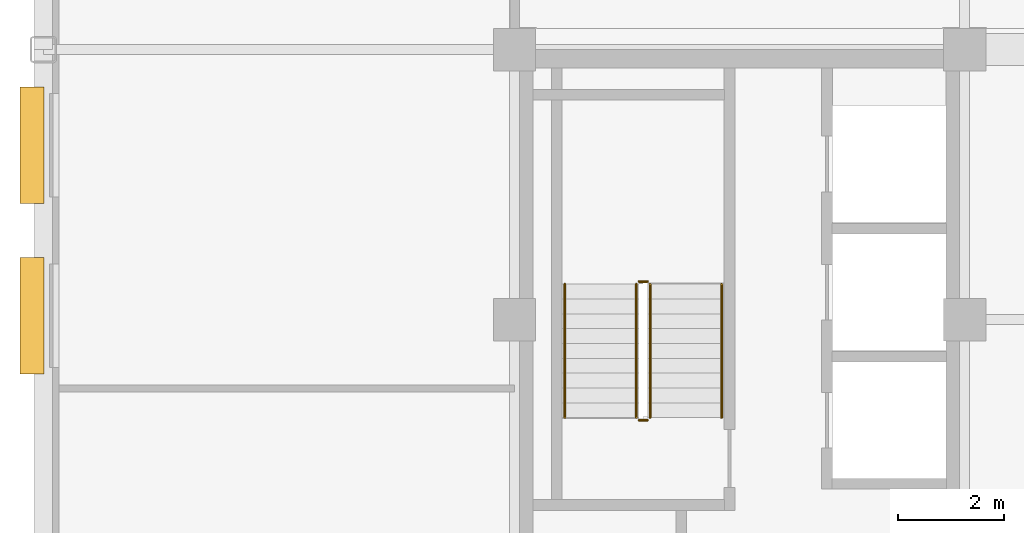
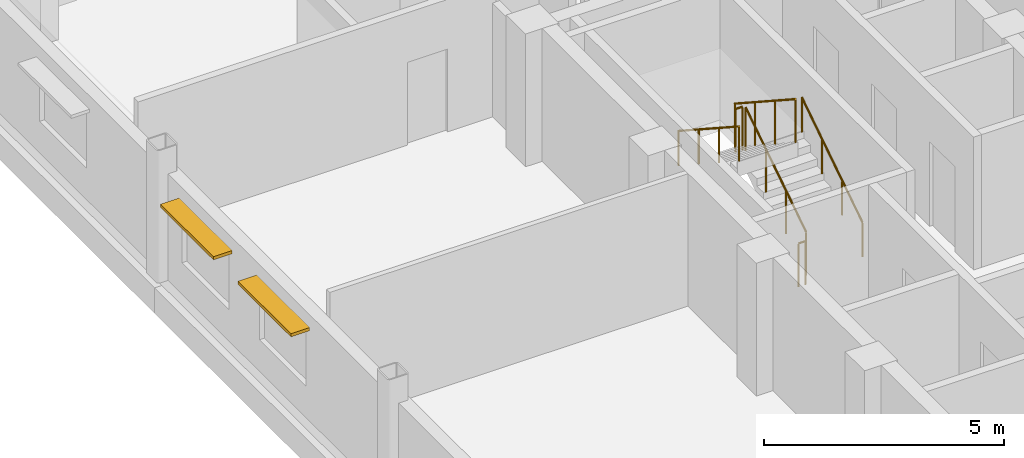
# One storey, part 11 of 14: 6 railings, 2 shading devices.
"""IFC4 building model written with IfcOpenShell, lengths in metres."""

import ifcopenshell
import ifcopenshell.guid

model = None  # the IFC model being written
_history = None  # IfcOwnerHistory: only IFC2X3 demands one
_inside = {}  # id of a spatial element -> (the spatial element, [elements in it])
_under = {}  # id of a project, library or spatial element -> (it, [spatial elements below it])
_declared = {}  # id of a project -> (the project, [libraries it declares])
_typed = {}  # id of a type object -> (the type object, [elements of that type])
_made_of = {}  # id of a material, layer set ... -> (it, [elements and type objects made of it])


def new_model(schema):
    """Start an empty IFC model of exactly this schema.

    Asked for "IFC4X3", IfcOpenShell would pick the latest addendum, in which some entities
    have other attributes; the version numbers below select the first issue.
    IFC2X3 requires an IfcOwnerHistory on every rooted entity: one is made here for all.
    """
    global model, _history
    if schema == "IFC4X3":
        model = ifcopenshell.file(schema_version=(4, 3, 0, 0))
    else:
        model = ifcopenshell.file(schema=schema)
    _inside.clear()
    _under.clear()
    _declared.clear()
    _typed.clear()
    _made_of.clear()
    _history = None
    if model.schema == "IFC2X3":
        org = make("IfcOrganization", Name="unknown")
        user = make(
            "IfcPersonAndOrganization",
            ThePerson=make("IfcPerson", FamilyName="unknown"),
            TheOrganization=org,
        )
        app = make(
            "IfcApplication",
            ApplicationDeveloper=org,
            Version="unknown",
            ApplicationFullName="unknown",
            ApplicationIdentifier="unknown",
        )
        _history = make(
            "IfcOwnerHistory",
            OwningUser=user,
            OwningApplication=app,
            ChangeAction="ADDED",
            CreationDate=0,
        )
    return model


def make(cls, **values):
    """One entity of the class cls with the attributes given. An attribute that is None is left unset."""
    return model.create_entity(
        cls, **{name: value for name, value in values.items() if value is not None}
    )


def rooted(cls, **values):
    """An entity with a GlobalId (a new one), such as an element, a storey or a relation."""
    return make(cls, GlobalId=ifcopenshell.guid.new(), OwnerHistory=_history, **values)


def si_unit(unit_type, name, prefix=None):
    """IfcSIUnit, for example si_unit("LENGTHUNIT", "METRE", prefix="MILLI")."""
    return make("IfcSIUnit", UnitType=unit_type, Prefix=prefix, Name=name)


def assignment(units):
    """IfcUnitAssignment: the units of a project."""
    return None if units is None else make("IfcUnitAssignment", Units=units)


def point(xyz):
    """IfcCartesianPoint."""
    return None if xyz is None else make("IfcCartesianPoint", Coordinates=xyz)


def direction(xyz):
    """IfcDirection."""
    return None if xyz is None else make("IfcDirection", DirectionRatios=xyz)


def frame(location, z_axis=None, x_axis=None):
    """IfcAxis2Placement3D, a coordinate frame: its origin and axes. An axis left out is left unset."""
    return make(
        "IfcAxis2Placement3D",
        Location=point(location),
        Axis=direction(z_axis),
        RefDirection=direction(x_axis),
    )


def frame_2d(location, x_axis=None):
    """IfcAxis2Placement2D, a coordinate frame in the plane: its origin and x axis."""
    return make(
        "IfcAxis2Placement2D", Location=point(location), RefDirection=direction(x_axis)
    )


def origin():
    """The frame at (0, 0, 0) with its axes left unset."""
    return frame((0.0, 0.0, 0.0))


def origin_2d():
    """The frame at (0, 0) in the plane with its x axis left unset."""
    return frame_2d((0.0, 0.0))


def place(relative_to, where):
    """IfcLocalPlacement: puts the frame where relative to a parent placement (None: the world)."""
    return make(
        "IfcLocalPlacement", PlacementRelTo=relative_to, RelativePlacement=where
    )


def context(
    kind, dimensions, precision=None, world=None, true_north=None, identifier=None
):
    """IfcGeometricRepresentationContext, for example the 3D "Model" context."""
    return make(
        "IfcGeometricRepresentationContext",
        ContextIdentifier=identifier,
        ContextType=kind,
        CoordinateSpaceDimension=dimensions,
        Precision=precision,
        WorldCoordinateSystem=world,
        TrueNorth=true_north,
    )


def subcontext(parent, identifier, kind, view, scale=None):
    """IfcGeometricRepresentationSubContext, for example "Body" below "Model"."""
    return make(
        "IfcGeometricRepresentationSubContext",
        ContextIdentifier=identifier,
        ContextType=kind,
        ParentContext=parent,
        TargetScale=scale,
        TargetView=view,
    )


def project(units=None, contexts=None):
    """IfcProject with its units and contexts."""
    return rooted(
        "IfcProject",
        Name="project",
        RepresentationContexts=contexts,
        UnitsInContext=assignment(units),
    )


def spatial(cls, under=None, at=None, **own):
    """A site, building, storey or space (cls), placed at a placement, below another one or the project."""
    s = rooted(cls, ObjectPlacement=at, **own)
    if under is not None:
        _under.setdefault(under.id(), (under, []))[1].append(s)
    return s


def profile(cls, at=None, kind="AREA", **sizes):
    """A parametric profile (cls). Its sizes go by their IFC names, for example OverallWidth=200.0."""
    return make(cls, ProfileType=kind, Position=at, **sizes)


def rectangle(**sizes):
    """IfcRectangleProfileDef."""
    return profile("IfcRectangleProfileDef", **sizes)


def circle(**sizes):
    """IfcCircleProfileDef."""
    return profile("IfcCircleProfileDef", **sizes)


def extrude(swept, where, along, depth):
    """IfcExtrudedAreaSolid: the profile swept, set in the frame where, extruded along a direction by depth."""
    return make(
        "IfcExtrudedAreaSolid",
        SweptArea=swept,
        Position=where,
        ExtrudedDirection=direction(along),
        Depth=depth,
    )


def shape(context_of_items, identifier, shape_type, items):
    """IfcShapeRepresentation: the items that make up one representation, for example the "Body"."""
    return make(
        "IfcShapeRepresentation",
        ContextOfItems=context_of_items,
        RepresentationIdentifier=identifier,
        RepresentationType=shape_type,
        Items=items,
    )


def source(mapping_origin, context_of_items, identifier, shape_type, items):
    """IfcRepresentationMap: a shape defined once, which mapped items show again and again."""
    return make(
        "IfcRepresentationMap",
        MappingOrigin=mapping_origin,
        MappedRepresentation=shape(context_of_items, identifier, shape_type, items),
    )


def transform(
    local_origin,
    x_axis=None,
    y_axis=None,
    z_axis=None,
    scale=None,
    scale2=None,
    scale3=None,
    uniform=True,
):
    """IfcCartesianTransformationOperator3D, or its non-uniform kind. x_axis, y_axis, z_axis: its Axis1, 2, 3."""
    if uniform:
        return make(
            "IfcCartesianTransformationOperator3D",
            Axis1=direction(x_axis),
            Axis2=direction(y_axis),
            LocalOrigin=point(local_origin),
            Scale=scale,
            Axis3=direction(z_axis),
        )
    return make(
        "IfcCartesianTransformationOperator3DnonUniform",
        Axis1=direction(x_axis),
        Axis2=direction(y_axis),
        LocalOrigin=point(local_origin),
        Scale=scale,
        Axis3=direction(z_axis),
        Scale2=scale2,
        Scale3=scale3,
    )


def mapped(mapping_source, mapping_target):
    """IfcMappedItem: shows the shape of a source again, moved by a transform."""
    return make(
        "IfcMappedItem", MappingSource=mapping_source, MappingTarget=mapping_target
    )


def material(Name=None, Category=None):
    """IfcMaterial."""
    return make("IfcMaterial", Name=Name, Category=Category)


def made_of(thing, what):
    """Note that an element or type object is made of a material, layer set ...; save() writes the relation."""
    if what is not None:
        _made_of.setdefault(what.id(), (what, []))[1].append(thing)
    return thing


def type_object(cls, material=None, **own):
    """A type object (cls), such as IfcWallType, which elements share."""
    return made_of(rooted(cls, **own), material)


def type_shapes(of_type, sources):
    """Give a type object the sources (RepresentationMaps) that its elements show as mapped items."""
    of_type.RepresentationMaps = sources


def element(
    cls,
    number,
    at=None,
    inside=None,
    cuts=None,
    type_object=None,
    material=None,
    context=None,
    identifier="Body",
    shape_type=None,
    held_by="IfcProductDefinitionShape",
    body=None,
    shapes=None,
    **own,
):
    """One element of the class cls, such as IfcWall. Its Tag is "e" and its number.

    at: its placement. inside: the storey or other place that contains it. cuts: it is an
    opening in that element (IfcRelVoidsElement). A single representation is given by context,
    identifier, shape_type and body (its items); several are given by shapes. held_by: the class
    of the entity that holds the representations. save() writes the other relations.
    """
    e = rooted(cls, Tag="e%d" % number, ObjectPlacement=at, **own)
    if body is not None:
        shapes = [shape(context, identifier, shape_type, body)]
    if shapes is not None:
        e.Representation = make(held_by, Representations=shapes)
    if inside is not None:
        _inside.setdefault(inside.id(), (inside, []))[1].append(e)
    if cuts is not None:
        rooted(
            "IfcRelVoidsElement", RelatingBuildingElement=cuts, RelatedOpeningElement=e
        )
    if type_object is not None:
        _typed.setdefault(type_object.id(), (type_object, []))[1].append(e)
    return made_of(e, material)


def aggregate(whole, parts):
    """IfcRelAggregates: a whole, such as a stair, and the parts it consists of."""
    return rooted("IfcRelAggregates", RelatingObject=whole, RelatedObjects=parts)


def save(model, path):
    """Write the relations noted so far, then the file.

    IfcRelAggregates (storeys below a building ...), IfcRelContainedInSpatialStructure (elements
    in a storey), IfcRelDefinesByType, IfcRelAssociatesMaterial and IfcRelDeclares: one each for
    every whole, place, type object, material and project.
    """
    for whole, parts in _under.values():
        aggregate(whole, parts)
    for where, things in _inside.values():
        rooted(
            "IfcRelContainedInSpatialStructure",
            RelatedElements=things,
            RelatingStructure=where,
        )
    for kind, things in _typed.values():
        rooted("IfcRelDefinesByType", RelatedObjects=things, RelatingType=kind)
    for what, things in _made_of.values():
        rooted("IfcRelAssociatesMaterial", RelatedObjects=things, RelatingMaterial=what)
    for by, libraries in _declared.values():
        rooted("IfcRelDeclares", RelatingContext=by, RelatedDefinitions=libraries)
    model.write(path)


model = new_model("IFC4")

# Units and contexts
model_context = context("Model", 3, precision=1e-05, world=origin(), true_north=direction((0.0, 1.0)))
body_context = subcontext(model_context, "Body", "Model", "MODEL_VIEW")
ifc_project = project(units=[si_unit("LENGTHUNIT", "METRE"), si_unit("AREAUNIT", "SQUARE_METRE"), si_unit("VOLUMEUNIT", "CUBIC_METRE"), si_unit("PLANEANGLEUNIT", "RADIAN"), si_unit("MASSUNIT", "GRAM", prefix="KILO")], contexts=[model_context])

# Site, building, storey
site_placement = place(None, origin())
site = spatial("IfcSite", under=ifc_project, at=site_placement, CompositionType="ELEMENT")
building_placement = place(site_placement, origin())
building = spatial("IfcBuilding", under=site, at=building_placement, Name="Nuvemarco Arch Tower", CompositionType="ELEMENT")
storey_placement = place(building_placement, frame((0.0, 0.0, 238.35009765625)))
storey = spatial("IfcBuildingStorey", under=building, at=storey_placement, Name="L63", CompositionType="ELEMENT", Elevation=238.35009765625)

# Railings
ifc_material_1 = material(Name="Brushed stainless steel handrail", Category="steel")
railing_type_1 = type_object("IfcRailingType", Name="RL-HANDRAIL-900", PredefinedType="HANDRAIL", material=ifc_material_1)
railing_1_placement = place(storey_placement, frame((-13.590087890625, 2.64990234375, 0.182373046875)))
element("IfcRailing", 1, at=railing_1_placement, inside=storey, type_object=railing_type_1, Name="L63 ST-1 stair handrail 1", PredefinedType="HANDRAIL", context=body_context, shape_type="SweptSolid", body=[
    extrude(circle(Radius=0.02392578125, at=origin_2d()), frame((0.0, 0.0, 0.8759765625), z_axis=(0.0, 0.837749427056, 0.546054848405), x_axis=(-1.0, 0.0, 0.0)), (0.0, 0.0, 1.0), 3.008056640625),
    extrude(circle(Radius=0.02099609375, at=origin_2d()), origin(), (0.0, 0.0, 1.0), 0.851806640625),
    extrude(circle(Radius=0.02099609375, at=origin_2d()), frame((0.0, 0.840087890625, 0.547607421875)), (0.0, 0.0, 1.0), 0.851806640625),
    extrude(circle(Radius=0.02099609375, at=origin_2d()), frame((0.0, 1.679931640625, 1.094970703125)), (0.0, 0.0, 1.0), 0.851806640625),
    extrude(circle(Radius=0.02099609375, at=origin_2d()), frame((0.0, 2.52001953125, 1.642578125)), (0.0, 0.0, 1.0), 0.851806640625),
])
railing_2_placement = place(storey_placement, frame((-16.550048828125, 5.169921875, 2.00732421875)))
element("IfcRailing", 2, at=railing_2_placement, inside=storey, type_object=railing_type_1, Name="L63 ST-1 stair handrail 2", PredefinedType="HANDRAIL", context=body_context, shape_type="SweptSolid", body=[
    extrude(circle(Radius=0.02392578125, at=origin_2d()), frame((0.0, 0.0, 0.8759765625), z_axis=(0.0, -0.837749427056, 0.546054848405), x_axis=(1.0, 0.0, 0.0)), (0.0, 0.0, 1.0), 3.008056640625),
    extrude(circle(Radius=0.02099609375, at=origin_2d()), origin(), (0.0, 0.0, 1.0), 0.851806640625),
    extrude(circle(Radius=0.02099609375, at=origin_2d()), frame((0.0, -0.840087890625, 0.547607421875)), (0.0, 0.0, 1.0), 0.851806640625),
    extrude(circle(Radius=0.02099609375, at=origin_2d()), frame((0.0, -1.679931640625, 1.094970703125)), (0.0, 0.0, 1.0), 0.851806640625),
    extrude(circle(Radius=0.02099609375, at=origin_2d()), frame((0.0, -2.52001953125, 1.642578125)), (0.0, 0.0, 1.0), 0.851806640625),
])
ifc_material_2 = material(Name="Painted balustrade steel S355", Category="steel")
railing_type_2 = type_object("IfcRailingType", Name="RL-STAIR-GUARD", PredefinedType="GUARDRAIL", material=ifc_material_2)
railing_3_placement = place(storey_placement, frame((-14.93994140625, 2.64990234375, 0.182373046875)))
element("IfcRailing", 3, at=railing_3_placement, inside=storey, type_object=railing_type_2, Name="L63 ST-1 stair guard 1", PredefinedType="GUARDRAIL", context=body_context, shape_type="SweptSolid", body=[
    extrude(circle(Radius=0.02392578125, at=origin_2d()), frame((0.0, 0.0, 1.09619140625), z_axis=(0.0, 0.837749427056, 0.546054848405), x_axis=(-1.0, 0.0, 0.0)), (0.0, 0.0, 1.0), 3.008056640625),
    extrude(circle(Radius=0.02099609375, at=origin_2d()), origin(), (0.0, 0.0, 1.0), 1.072021484375),
    extrude(circle(Radius=0.02099609375, at=origin_2d()), frame((0.0, 0.840087890625, 0.547607421875)), (0.0, 0.0, 1.0), 1.072021484375),
    extrude(circle(Radius=0.02099609375, at=origin_2d()), frame((0.0, 1.679931640625, 1.094970703125)), (0.0, 0.0, 1.0), 1.072021484375),
    extrude(circle(Radius=0.02099609375, at=origin_2d()), frame((0.0, 2.52001953125, 1.642578125)), (0.0, 0.0, 1.0), 1.072021484375),
])
railing_4_placement = place(storey_placement, frame((-14.989990234375, 5.219970703125, 1.824951171875)))
element("IfcRailing", 4, at=railing_4_placement, inside=storey, type_object=railing_type_2, Name="L63 ST-1 stair guard 2", PredefinedType="GUARDRAIL", context=body_context, shape_type="SweptSolid", body=[
    extrude(circle(Radius=0.02392578125, at=origin_2d()), frame((0.0, 0.0, 1.09619140625), z_axis=(-1.0, 0.0, 0.0), x_axis=(0.0, -1.0, 0.0)), (0.0, 0.0, 1.0), 0.159912109375),
    extrude(circle(Radius=0.02099609375, at=origin_2d()), origin(), (0.0, 0.0, 1.0), 1.072021484375),
    extrude(circle(Radius=0.02099609375, at=origin_2d()), frame((-0.159912109375, 0.0, 0.0)), (0.0, 0.0, 1.0), 1.072021484375),
])
railing_5_placement = place(storey_placement, frame((-15.199951171875, 5.169921875, 2.00732421875)))
element("IfcRailing", 5, at=railing_5_placement, inside=storey, type_object=railing_type_2, Name="L63 ST-1 stair guard 3", PredefinedType="GUARDRAIL", context=body_context, shape_type="SweptSolid", body=[
    extrude(circle(Radius=0.02392578125, at=origin_2d()), frame((0.0, 0.0, 1.09619140625), z_axis=(0.0, -0.837749427056, 0.546054848405), x_axis=(1.0, 0.0, 0.0)), (0.0, 0.0, 1.0), 3.008056640625),
    extrude(circle(Radius=0.02099609375, at=origin_2d()), origin(), (0.0, 0.0, 1.0), 1.072021484375),
    extrude(circle(Radius=0.02099609375, at=origin_2d()), frame((0.0, -0.840087890625, 0.547607421875)), (0.0, 0.0, 1.0), 1.072021484375),
    extrude(circle(Radius=0.02099609375, at=origin_2d()), frame((0.0, -1.679931640625, 1.094970703125)), (0.0, 0.0, 1.0), 1.072021484375),
    extrude(circle(Radius=0.02099609375, at=origin_2d()), frame((0.0, -2.52001953125, 1.642578125)), (0.0, 0.0, 1.0), 1.072021484375),
])
railing_6_placement = place(storey_placement, frame((-14.989990234375, 2.60009765625, 0.0)))
element("IfcRailing", 6, at=railing_6_placement, inside=storey, type_object=railing_type_2, Name="L63 ST-1 stair guard 4", PredefinedType="GUARDRAIL", context=body_context, shape_type="SweptSolid", body=[
    extrude(circle(Radius=0.02392578125, at=origin_2d()), frame((0.0, 0.0, 1.09619140625), z_axis=(-1.0, 0.0, 0.0), x_axis=(0.0, -1.0, 0.0)), (0.0, 0.0, 1.0), 0.159912109375),
    extrude(circle(Radius=0.02099609375, at=origin_2d()), origin(), (0.0, 0.0, 1.0), 1.072021484375),
    extrude(circle(Radius=0.02099609375, at=origin_2d()), frame((-0.159912109375, 0.0, 0.0)), (0.0, 0.0, 1.0), 1.072021484375),
])

# Shading devices
ifc_material_3 = material(Name="Anodised aluminium 6063-T6", Category="aluminium")
shading_device_type = type_object("IfcShadingDeviceType", Name="SHD-BRISE-SOLEIL", PredefinedType="USERDEFINED", material=ifc_material_3)
shared_shape = source(origin(), body_context, "Body", "SweptSolid", [
    extrude(rectangle(XDim=2.199951171875, YDim=0.449951171875, at=origin_2d()), origin(), (0.0, 0.0, 1.0), 0.080078125),
])
type_shapes(shading_device_type, [shared_shape])
for number, where, z_axis, x_axis, name in (
    (7, (-26.614990234375, 4.572509765625, 2.284912109375), (0.0, 0.0, 1.0), (0.0, 1.0, 0.0), "L63 horizontal brise-soleil sunshade"),
    (8, (-26.614990234375, 7.795166015625, 2.284912109375), (0.0, 0.0, 1.0), (0.0, 1.0, 0.0), "L63 horizontal brise-soleil sunshade"),
):
    element("IfcShadingDevice", number, at=place(storey_placement, frame(where, z_axis=z_axis, x_axis=x_axis)), inside=storey, type_object=shading_device_type, Name=name, ObjectType="SUNSHADE", PredefinedType="USERDEFINED", context=body_context, shape_type="MappedRepresentation", body=[
        mapped(shared_shape, transform((0.0, 0.0, 0.0), scale=1.0)),
    ])

save(model, "model.ifc")
